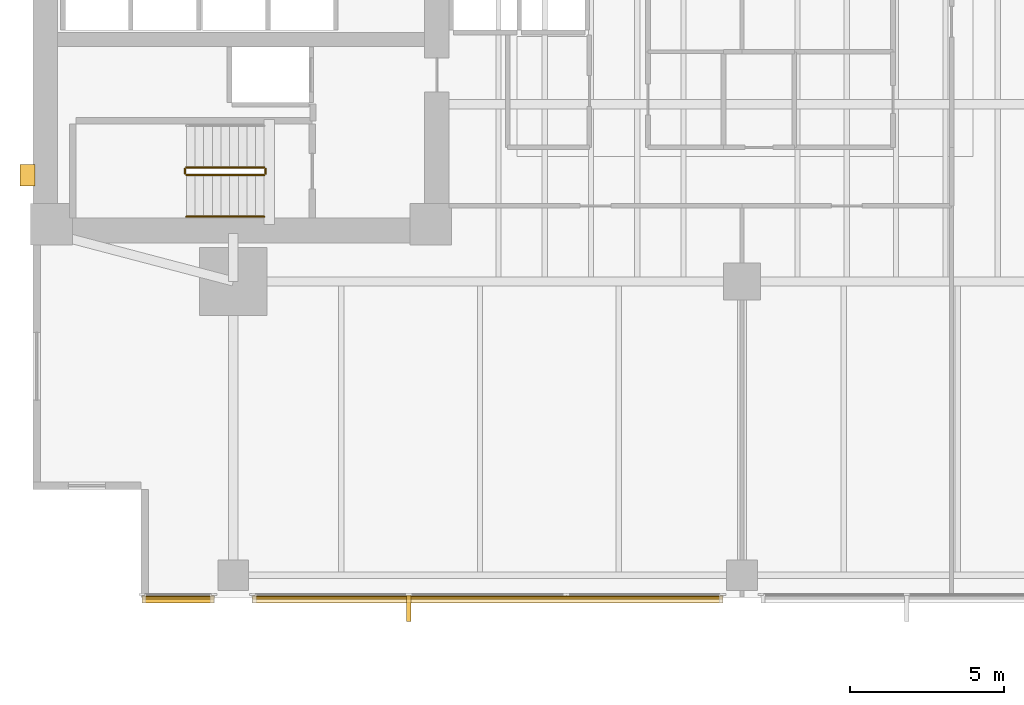
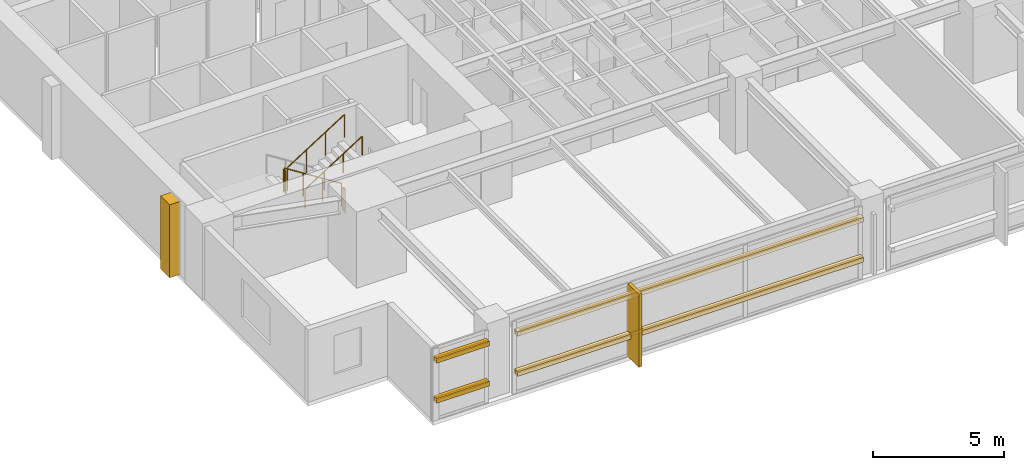
# One storey, part 12 of 15: 6 coverings, 5 railings, 4 shading devices.
"""IFC4 building model written with IfcOpenShell, lengths in metres."""

import ifcopenshell
import ifcopenshell.guid

model = None  # the IFC model being written
_history = None  # IfcOwnerHistory: only IFC2X3 demands one
_inside = {}  # id of a spatial element -> (the spatial element, [elements in it])
_under = {}  # id of a project, library or spatial element -> (it, [spatial elements below it])
_declared = {}  # id of a project -> (the project, [libraries it declares])
_typed = {}  # id of a type object -> (the type object, [elements of that type])
_made_of = {}  # id of a material, layer set ... -> (it, [elements and type objects made of it])


def new_model(schema):
    """Start an empty IFC model of exactly this schema.

    Asked for "IFC4X3", IfcOpenShell would pick the latest addendum, in which some entities
    have other attributes; the version numbers below select the first issue.
    IFC2X3 requires an IfcOwnerHistory on every rooted entity: one is made here for all.
    """
    global model, _history
    if schema == "IFC4X3":
        model = ifcopenshell.file(schema_version=(4, 3, 0, 0))
    else:
        model = ifcopenshell.file(schema=schema)
    _inside.clear()
    _under.clear()
    _declared.clear()
    _typed.clear()
    _made_of.clear()
    _history = None
    if model.schema == "IFC2X3":
        org = make("IfcOrganization", Name="unknown")
        user = make(
            "IfcPersonAndOrganization",
            ThePerson=make("IfcPerson", FamilyName="unknown"),
            TheOrganization=org,
        )
        app = make(
            "IfcApplication",
            ApplicationDeveloper=org,
            Version="unknown",
            ApplicationFullName="unknown",
            ApplicationIdentifier="unknown",
        )
        _history = make(
            "IfcOwnerHistory",
            OwningUser=user,
            OwningApplication=app,
            ChangeAction="ADDED",
            CreationDate=0,
        )
    return model


def make(cls, **values):
    """One entity of the class cls with the attributes given. An attribute that is None is left unset."""
    return model.create_entity(
        cls, **{name: value for name, value in values.items() if value is not None}
    )


def rooted(cls, **values):
    """An entity with a GlobalId (a new one), such as an element, a storey or a relation."""
    return make(cls, GlobalId=ifcopenshell.guid.new(), OwnerHistory=_history, **values)


def si_unit(unit_type, name, prefix=None):
    """IfcSIUnit, for example si_unit("LENGTHUNIT", "METRE", prefix="MILLI")."""
    return make("IfcSIUnit", UnitType=unit_type, Prefix=prefix, Name=name)


def assignment(units):
    """IfcUnitAssignment: the units of a project."""
    return None if units is None else make("IfcUnitAssignment", Units=units)


def point(xyz):
    """IfcCartesianPoint."""
    return None if xyz is None else make("IfcCartesianPoint", Coordinates=xyz)


def direction(xyz):
    """IfcDirection."""
    return None if xyz is None else make("IfcDirection", DirectionRatios=xyz)


def frame(location, z_axis=None, x_axis=None):
    """IfcAxis2Placement3D, a coordinate frame: its origin and axes. An axis left out is left unset."""
    return make(
        "IfcAxis2Placement3D",
        Location=point(location),
        Axis=direction(z_axis),
        RefDirection=direction(x_axis),
    )


def frame_2d(location, x_axis=None):
    """IfcAxis2Placement2D, a coordinate frame in the plane: its origin and x axis."""
    return make(
        "IfcAxis2Placement2D", Location=point(location), RefDirection=direction(x_axis)
    )


def origin():
    """The frame at (0, 0, 0) with its axes left unset."""
    return frame((0.0, 0.0, 0.0))


def origin_2d():
    """The frame at (0, 0) in the plane with its x axis left unset."""
    return frame_2d((0.0, 0.0))


def place(relative_to, where):
    """IfcLocalPlacement: puts the frame where relative to a parent placement (None: the world)."""
    return make(
        "IfcLocalPlacement", PlacementRelTo=relative_to, RelativePlacement=where
    )


def context(
    kind, dimensions, precision=None, world=None, true_north=None, identifier=None
):
    """IfcGeometricRepresentationContext, for example the 3D "Model" context."""
    return make(
        "IfcGeometricRepresentationContext",
        ContextIdentifier=identifier,
        ContextType=kind,
        CoordinateSpaceDimension=dimensions,
        Precision=precision,
        WorldCoordinateSystem=world,
        TrueNorth=true_north,
    )


def subcontext(parent, identifier, kind, view, scale=None):
    """IfcGeometricRepresentationSubContext, for example "Body" below "Model"."""
    return make(
        "IfcGeometricRepresentationSubContext",
        ContextIdentifier=identifier,
        ContextType=kind,
        ParentContext=parent,
        TargetScale=scale,
        TargetView=view,
    )


def project(units=None, contexts=None):
    """IfcProject with its units and contexts."""
    return rooted(
        "IfcProject",
        Name="project",
        RepresentationContexts=contexts,
        UnitsInContext=assignment(units),
    )


def spatial(cls, under=None, at=None, **own):
    """A site, building, storey or space (cls), placed at a placement, below another one or the project."""
    s = rooted(cls, ObjectPlacement=at, **own)
    if under is not None:
        _under.setdefault(under.id(), (under, []))[1].append(s)
    return s


def polyline(points):
    """IfcPolyline through the points."""
    return make("IfcPolyline", Points=[point(p) for p in points])


def profile(cls, at=None, kind="AREA", **sizes):
    """A parametric profile (cls). Its sizes go by their IFC names, for example OverallWidth=200.0."""
    return make(cls, ProfileType=kind, Position=at, **sizes)


def rectangle(**sizes):
    """IfcRectangleProfileDef."""
    return profile("IfcRectangleProfileDef", **sizes)


def circle(**sizes):
    """IfcCircleProfileDef."""
    return profile("IfcCircleProfileDef", **sizes)


def outline(outer, holes=None, kind="AREA"):
    """IfcArbitraryClosedProfileDef: a profile drawn as a closed curve; with holes, ...WithVoids."""
    if holes is None:
        return make("IfcArbitraryClosedProfileDef", ProfileType=kind, OuterCurve=outer)
    return make(
        "IfcArbitraryProfileDefWithVoids",
        ProfileType=kind,
        OuterCurve=outer,
        InnerCurves=holes,
    )


def extrude(swept, where, along, depth):
    """IfcExtrudedAreaSolid: the profile swept, set in the frame where, extruded along a direction by depth."""
    return make(
        "IfcExtrudedAreaSolid",
        SweptArea=swept,
        Position=where,
        ExtrudedDirection=direction(along),
        Depth=depth,
    )


def shape(context_of_items, identifier, shape_type, items):
    """IfcShapeRepresentation: the items that make up one representation, for example the "Body"."""
    return make(
        "IfcShapeRepresentation",
        ContextOfItems=context_of_items,
        RepresentationIdentifier=identifier,
        RepresentationType=shape_type,
        Items=items,
    )


def material(Name=None, Category=None):
    """IfcMaterial."""
    return make("IfcMaterial", Name=Name, Category=Category)


def layer(
    of_material, thickness, ventilated=None, Name=None, Category=None, Priority=None
):
    """IfcMaterialLayer: one layer of a wall or slab, of a material (None: an air gap)."""
    return make(
        "IfcMaterialLayer",
        Material=of_material,
        LayerThickness=thickness,
        IsVentilated=ventilated,
        Name=Name,
        Category=Category,
        Priority=Priority,
    )


def layer_set(layers, Name=None):
    """IfcMaterialLayerSet."""
    return make("IfcMaterialLayerSet", MaterialLayers=layers, LayerSetName=Name)


def material_profile(
    of_material, cross_section, Name=None, Category=None, Priority=None
):
    """IfcMaterialProfile: a cross section and its material."""
    return make(
        "IfcMaterialProfile",
        Name=Name,
        Material=of_material,
        Profile=cross_section,
        Priority=Priority,
        Category=Category,
    )


def profile_set(profiles, Name=None, composite=None):
    """IfcMaterialProfileSet."""
    return make(
        "IfcMaterialProfileSet",
        Name=Name,
        MaterialProfiles=profiles,
        CompositeProfile=composite,
    )


def made_of(thing, what):
    """Note that an element or type object is made of a material, layer set ...; save() writes the relation."""
    if what is not None:
        _made_of.setdefault(what.id(), (what, []))[1].append(thing)
    return thing


def type_object(cls, material=None, **own):
    """A type object (cls), such as IfcWallType, which elements share."""
    return made_of(rooted(cls, **own), material)


def element(
    cls,
    number,
    at=None,
    inside=None,
    cuts=None,
    type_object=None,
    material=None,
    context=None,
    identifier="Body",
    shape_type=None,
    held_by="IfcProductDefinitionShape",
    body=None,
    shapes=None,
    **own,
):
    """One element of the class cls, such as IfcWall. Its Tag is "e" and its number.

    at: its placement. inside: the storey or other place that contains it. cuts: it is an
    opening in that element (IfcRelVoidsElement). A single representation is given by context,
    identifier, shape_type and body (its items); several are given by shapes. held_by: the class
    of the entity that holds the representations. save() writes the other relations.
    """
    e = rooted(cls, Tag="e%d" % number, ObjectPlacement=at, **own)
    if body is not None:
        shapes = [shape(context, identifier, shape_type, body)]
    if shapes is not None:
        e.Representation = make(held_by, Representations=shapes)
    if inside is not None:
        _inside.setdefault(inside.id(), (inside, []))[1].append(e)
    if cuts is not None:
        rooted(
            "IfcRelVoidsElement", RelatingBuildingElement=cuts, RelatedOpeningElement=e
        )
    if type_object is not None:
        _typed.setdefault(type_object.id(), (type_object, []))[1].append(e)
    return made_of(e, material)


def aggregate(whole, parts):
    """IfcRelAggregates: a whole, such as a stair, and the parts it consists of."""
    return rooted("IfcRelAggregates", RelatingObject=whole, RelatedObjects=parts)


def save(model, path):
    """Write the relations noted so far, then the file.

    IfcRelAggregates (storeys below a building ...), IfcRelContainedInSpatialStructure (elements
    in a storey), IfcRelDefinesByType, IfcRelAssociatesMaterial and IfcRelDeclares: one each for
    every whole, place, type object, material and project.
    """
    for whole, parts in _under.values():
        aggregate(whole, parts)
    for where, things in _inside.values():
        rooted(
            "IfcRelContainedInSpatialStructure",
            RelatedElements=things,
            RelatingStructure=where,
        )
    for kind, things in _typed.values():
        rooted("IfcRelDefinesByType", RelatedObjects=things, RelatingType=kind)
    for what, things in _made_of.values():
        rooted("IfcRelAssociatesMaterial", RelatedObjects=things, RelatingMaterial=what)
    for by, libraries in _declared.values():
        rooted("IfcRelDeclares", RelatingContext=by, RelatedDefinitions=libraries)
    model.write(path)


model = new_model("IFC4")

# Units and contexts
model_context = context("Model", 3, precision=1e-05, world=origin(), true_north=direction((0.0, 1.0)))
body_context = subcontext(model_context, "Body", "Model", "MODEL_VIEW")
ifc_project = project(units=[si_unit("LENGTHUNIT", "METRE"), si_unit("AREAUNIT", "SQUARE_METRE"), si_unit("VOLUMEUNIT", "CUBIC_METRE"), si_unit("PLANEANGLEUNIT", "RADIAN"), si_unit("MASSUNIT", "GRAM", prefix="KILO")], contexts=[model_context])

# Site, building, storey
site_placement = place(None, origin())
site = spatial("IfcSite", under=ifc_project, at=site_placement, CompositionType="ELEMENT")
building_placement = place(site_placement, origin())
building = spatial("IfcBuilding", under=site, at=building_placement, Name="Kinhvarn Gate Tower", CompositionType="ELEMENT")
storey_placement = place(building_placement, frame((0.0, 0.0, 43.35009765625)))
storey = spatial("IfcBuildingStorey", under=building, at=storey_placement, Name="L10", CompositionType="ELEMENT", Elevation=43.35009765625)

# Coverings
ifc_material_1 = material(Name="Fired architectural terracotta", Category="masonry")
ifc_layer_1 = layer(ifc_material_1, 0.239990234375)
ifc_layer_set_1 = layer_set([ifc_layer_1], Name="Fired architectural terracotta")
covering_type_1 = type_object("IfcCoveringType", Name="COV-BAG-220", PredefinedType="CLADDING", material=ifc_layer_set_1)
for number, where, name in (
    (1, (0.0, 0.0, 0.93994140625), "Terracotta Horizontal Sunscreen Band TBG-220 (L10)"),
    (2, (0.0, 0.0, 2.809814453125), "Terracotta Horizontal Sunscreen Band TBG-220 (L10)"),
):
    element("IfcCovering", number, at=place(storey_placement, frame(where)), inside=storey, type_object=covering_type_1, Name=name, PredefinedType="CLADDING", context=body_context, shape_type="SweptSolid", body=[
        extrude(outline(polyline([(8.0400390625, 2.56005859375), (10.3798828125, 2.56005859375), (10.3798828125, 2.320068359375), (8.0400390625, 2.320068359375), (8.0400390625, 2.56005859375)])), origin(), (0.0, 0.0, 1.0), 0.219970703125),
    ])
for number, where, name in (
    (3, (0.0, 0.0, 0.93994140625), "Terracotta Horizontal Sunscreen Band TBG-220 (L10)"),
    (4, (0.0, 0.0, 2.809814453125), "Terracotta Horizontal Sunscreen Band TBG-220 (L10)"),
):
    element("IfcCovering", number, at=place(storey_placement, frame(where)), inside=storey, type_object=covering_type_1, Name=name, PredefinedType="CLADDING", context=body_context, shape_type="SweptSolid", body=[
        extrude(outline(polyline([(11.6201171875, 2.56005859375), (26.8798828125, 2.56005859375), (26.8798828125, 2.320068359375), (11.6201171875, 2.320068359375), (11.6201171875, 2.56005859375)])), origin(), (0.0, 0.0, 1.0), 0.219970703125),
    ])
ifc_layer_2 = layer(ifc_material_1, 0.139892578125)
ifc_layer_set_2 = layer_set([ifc_layer_2], Name="Fired architectural terracotta")
covering_type_2 = type_object("IfcCoveringType", Name="COV-FIN-850", PredefinedType="CLADDING", material=ifc_layer_set_2)
covering_1_placement = place(storey_placement, frame((0.0, 0.0, -0.02001953125)))
element("IfcCovering", 5, at=covering_1_placement, inside=storey, type_object=covering_type_2, Name="Vertical Terracotta Expressive Fin TFN-850 (L10)", PredefinedType="CLADDING", context=body_context, shape_type="SweptSolid", body=[
    extrude(outline(polyline([(16.623291015625, 2.570068359375), (16.76318359375, 2.570068359375), (16.76318359375, 1.719970703125), (16.623291015625, 1.719970703125), (16.623291015625, 2.570068359375)])), origin(), (0.0, 0.0, 1.0), 3.409912109375),
])
ifc_material_2 = material(Name="Precast white architectural concrete C40/50", Category="concrete")
ifc_layer_3 = layer(ifc_material_2, 0.47998046875)
ifc_layer_set_3 = layer_set([ifc_layer_3], Name="Precast white architectural concrete C40/50")
covering_type_3 = type_object("IfcCoveringType", Name="COV-RIB-450", PredefinedType="CLADDING", material=ifc_layer_set_3)
covering_2_placement = place(storey_placement, frame((0.0, 0.0, -0.02001953125)))
element("IfcCovering", 6, at=covering_2_placement, inside=storey, type_object=covering_type_3, Name="West Core Sculptural Concrete Relief Rib CRB-450 (L10)", PredefinedType="CLADDING", context=body_context, shape_type="SweptSolid", body=[
    extrude(outline(polyline([(4.080078125, 15.85009765625), (4.56005859375, 15.85009765625), (4.56005859375, 16.550048828125), (4.080078125, 16.550048828125), (4.080078125, 15.85009765625)])), origin(), (0.0, 0.0, 1.0), 3.409912109375),
])

# Railings
ifc_material_3 = material(Name="Steel S355", Category="steel")
railing_type_1 = type_object("IfcRailingType", Name="RL-ST-GRD", PredefinedType="BALUSTRADE", material=ifc_material_3)
railing_1_placement = place(storey_placement, frame((12.0, 16.449951171875, 0.177490234375)))
element("IfcRailing", 7, at=railing_1_placement, inside=storey, type_object=railing_type_1, Name="L10 ST1 stair guard 1", PredefinedType="BALUSTRADE", context=body_context, shape_type="SweptSolid", body=[
    extrude(circle(Radius=0.02392578125, at=origin_2d()), frame((0.0, 0.0, 1.076171875), z_axis=(-0.84460694969, 0.0, 0.535386869969), x_axis=(0.0, -1.0, 0.0)), (0.0, 0.0, 1.0), 2.983642578125),
    extrude(circle(Radius=0.02099609375, at=origin_2d()), origin(), (0.0, 0.0, 1.0), 1.052001953125),
    extrude(circle(Radius=0.02099609375, at=origin_2d()), frame((-0.840087890625, 0.0, 0.532470703125)), (0.0, 0.0, 1.0), 1.052001953125),
    extrude(circle(Radius=0.02099609375, at=origin_2d()), frame((-1.679931640625, 0.0, 1.06494140625)), (0.0, 0.0, 1.0), 1.052001953125),
    extrude(circle(Radius=0.02099609375, at=origin_2d()), frame((-2.52001953125, 0.0, 1.597412109375)), (0.0, 0.0, 1.0), 1.052001953125),
])
railing_2_placement = place(storey_placement, frame((9.429931640625, 16.39990234375, 1.77490234375)))
element("IfcRailing", 8, at=railing_2_placement, inside=storey, type_object=railing_type_1, Name="L10 ST1 stair guard 2", PredefinedType="BALUSTRADE", context=body_context, shape_type="SweptSolid", body=[
    extrude(circle(Radius=0.02392578125, at=origin_2d()), frame((0.0, 0.0, 1.076171875), z_axis=(0.0, -1.0, 0.0), x_axis=(1.0, 0.0, 0.0)), (0.0, 0.0, 1.0), 0.14990234375),
    extrude(circle(Radius=0.02099609375, at=origin_2d()), origin(), (0.0, 0.0, 1.0), 1.052001953125),
    extrude(circle(Radius=0.02099609375, at=origin_2d()), frame((0.0, -0.14990234375, 0.0)), (0.0, 0.0, 1.0), 1.052001953125),
])
railing_3_placement = place(storey_placement, frame((9.47998046875, 16.199951171875, 1.952392578125)))
element("IfcRailing", 9, at=railing_3_placement, inside=storey, type_object=railing_type_1, Name="L10 ST1 stair guard 3", PredefinedType="BALUSTRADE", context=body_context, shape_type="SweptSolid", body=[
    extrude(circle(Radius=0.02392578125, at=origin_2d()), frame((0.0, 0.0, 1.076171875), z_axis=(0.84460694969, 0.0, 0.535386869969), x_axis=(0.0, 1.0, 0.0)), (0.0, 0.0, 1.0), 2.983642578125),
    extrude(circle(Radius=0.02099609375, at=origin_2d()), origin(), (0.0, 0.0, 1.0), 1.052001953125),
    extrude(circle(Radius=0.02099609375, at=origin_2d()), frame((0.840087890625, 0.0, 0.532470703125)), (0.0, 0.0, 1.0), 1.052001953125),
    extrude(circle(Radius=0.02099609375, at=origin_2d()), frame((1.679931640625, 0.0, 1.06494140625)), (0.0, 0.0, 1.0), 1.052001953125),
    extrude(circle(Radius=0.02099609375, at=origin_2d()), frame((2.52001953125, 0.0, 1.597412109375)), (0.0, 0.0, 1.0), 1.052001953125),
])
railing_4_placement = place(storey_placement, frame((12.050048828125, 16.39990234375, 0.0)))
element("IfcRailing", 10, at=railing_4_placement, inside=storey, type_object=railing_type_1, Name="L10 ST1 stair guard 4", PredefinedType="BALUSTRADE", context=body_context, shape_type="SweptSolid", body=[
    extrude(circle(Radius=0.02392578125, at=origin_2d()), frame((0.0, 0.0, 1.076171875), z_axis=(0.0, -1.0, 0.0), x_axis=(1.0, 0.0, 0.0)), (0.0, 0.0, 1.0), 0.14990234375),
    extrude(circle(Radius=0.02099609375, at=origin_2d()), origin(), (0.0, 0.0, 1.0), 1.052001953125),
    extrude(circle(Radius=0.02099609375, at=origin_2d()), frame((0.0, -0.14990234375, 0.0)), (0.0, 0.0, 1.0), 1.052001953125),
])
railing_type_2 = type_object("IfcRailingType", Name="RL-ST-HND", PredefinedType="HANDRAIL", material=ifc_material_3)
railing_5_placement = place(storey_placement, frame((9.47998046875, 14.85009765625, 1.952392578125)))
element("IfcRailing", 11, at=railing_5_placement, inside=storey, type_object=railing_type_2, Name="L10 ST1 stair handrail 2", PredefinedType="HANDRAIL", context=body_context, shape_type="SweptSolid", body=[
    extrude(circle(Radius=0.02392578125, at=origin_2d()), frame((0.0, 0.0, 0.8759765625), z_axis=(0.84460694969, 0.0, 0.535386869969), x_axis=(0.0, 1.0, 0.0)), (0.0, 0.0, 1.0), 2.983642578125),
    extrude(circle(Radius=0.02099609375, at=origin_2d()), origin(), (0.0, 0.0, 1.0), 0.851806640625),
    extrude(circle(Radius=0.02099609375, at=origin_2d()), frame((0.840087890625, 0.0, 0.532470703125)), (0.0, 0.0, 1.0), 0.851806640625),
    extrude(circle(Radius=0.02099609375, at=origin_2d()), frame((1.679931640625, 0.0, 1.06494140625)), (0.0, 0.0, 1.0), 0.851806640625),
    extrude(circle(Radius=0.02099609375, at=origin_2d()), frame((2.52001953125, 0.0, 1.597412109375)), (0.0, 0.0, 1.0), 0.851806640625),
])

# Shading devices
ifc_material_profile = material_profile(ifc_material_1, rectangle(XDim=0.06005859375, YDim=0.139892578125, at=origin_2d()), Name="TC 60x140")
ifc_profile_set = profile_set([ifc_material_profile], Name="Fired architectural terracotta")
shading_device_type = type_object("IfcShadingDeviceType", Name="SHD-BAG-180", PredefinedType="USERDEFINED", material=ifc_profile_set)
for number, where, z_axis, x_axis, name in (
    (12, (8.0400390625, 2.485107421875, 1.0498046875), (1.0, 0.0, 0.0), (0.0, 1.0, 0.0), "Fired Terracotta Baguette Screen Rod 60x140 mm (L10)"),
    (13, (8.0400390625, 2.485107421875, 2.919921875), (1.0, 0.0, 0.0), (0.0, 1.0, 0.0), "Fired Terracotta Baguette Screen Rod 60x140 mm (L10)"),
):
    element("IfcShadingDevice", number, at=place(storey_placement, frame(where, z_axis=z_axis, x_axis=x_axis)), inside=storey, type_object=shading_device_type, Name=name, ObjectType="BAGUETTE", PredefinedType="USERDEFINED", context=body_context, shape_type="SweptSolid", body=[
        extrude(rectangle(XDim=0.06005859375, YDim=0.139892578125, at=origin_2d()), origin(), (0.0, 0.0, 1.0), 2.33984375),
    ])
for number, where, z_axis, x_axis, name in (
    (14, (11.6201171875, 2.485107421875, 1.0498046875), (1.0, 0.0, 0.0), (0.0, 1.0, 0.0), "Fired Terracotta Baguette Screen Rod 60x140 mm (L10)"),
    (15, (11.6201171875, 2.485107421875, 2.919921875), (1.0, 0.0, 0.0), (0.0, 1.0, 0.0), "Fired Terracotta Baguette Screen Rod 60x140 mm (L10)"),
):
    element("IfcShadingDevice", number, at=place(storey_placement, frame(where, z_axis=z_axis, x_axis=x_axis)), inside=storey, type_object=shading_device_type, Name=name, ObjectType="BAGUETTE", PredefinedType="USERDEFINED", context=body_context, shape_type="SweptSolid", body=[
        extrude(rectangle(XDim=0.06005859375, YDim=0.139892578125, at=origin_2d()), origin(), (0.0, 0.0, 1.0), 15.259765625),
    ])

save(model, "model.ifc")
